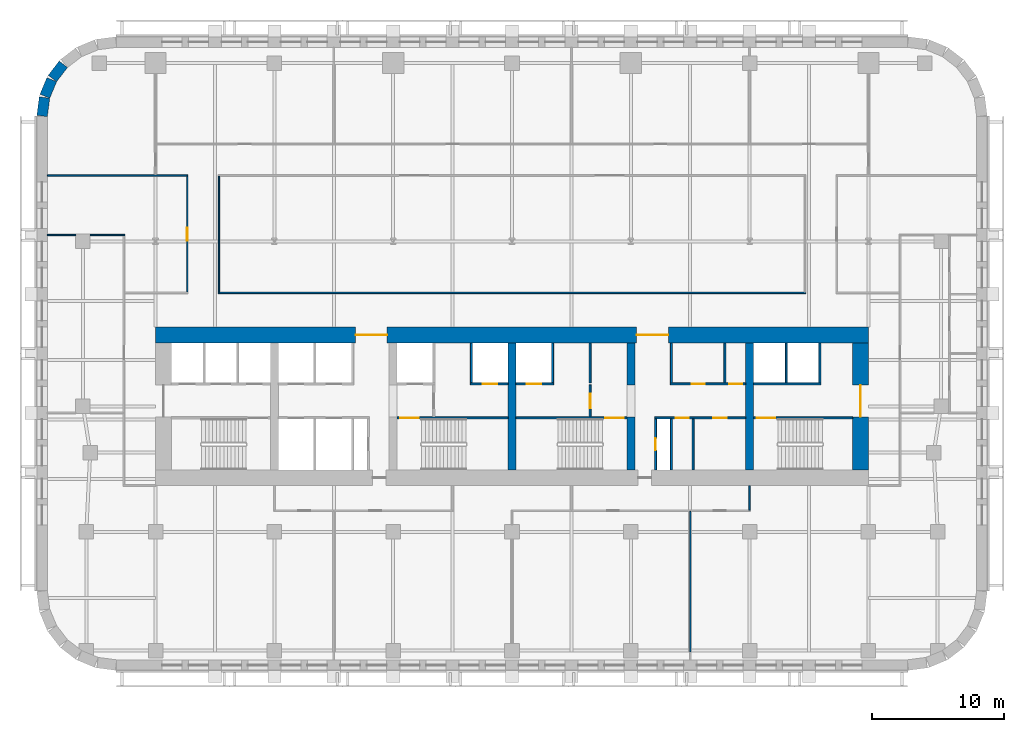
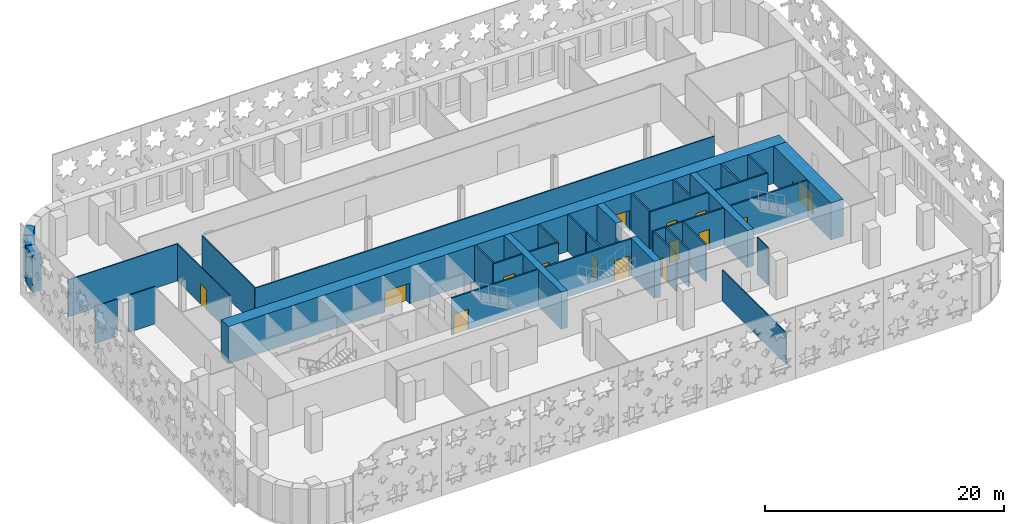
# One storey, part 6 of 15: 36 walls, 15 doors, 15 openings.
"""IFC4 building model written with IfcOpenShell, lengths in metres."""

from ifc_helpers import new_model, si_unit, direction, frame, frame_2d, origin, place, context, subcontext, project, spatial, rectangle, extrude, material, layer, layer_set, type_object, element, fill, save


model = new_model("IFC4")

# Units and contexts
model_context = context("Model", 3, precision=1e-05, world=origin(), true_north=direction((0.0, 1.0)))
body_context = subcontext(model_context, "Body", "Model", "MODEL_VIEW")
ifc_project = project(units=[si_unit("LENGTHUNIT", "METRE"), si_unit("AREAUNIT", "SQUARE_METRE"), si_unit("VOLUMEUNIT", "CUBIC_METRE"), si_unit("PLANEANGLEUNIT", "RADIAN"), si_unit("MASSUNIT", "GRAM", prefix="KILO")], contexts=[model_context])

# Site, building, storey
site_placement = place(None, origin())
site = spatial("IfcSite", under=ifc_project, at=site_placement, CompositionType="ELEMENT")
building_placement = place(site_placement, origin())
building = spatial("IfcBuilding", under=site, at=building_placement, Name="Zellij Exchange Tower", CompositionType="ELEMENT")
storey_placement = place(building_placement, frame((0.0, 0.0, 92.5)))
storey = spatial("IfcBuildingStorey", under=building, at=storey_placement, Name="L19", CompositionType="ELEMENT", Elevation=92.5)

# Walls
ifc_material_1 = material(Name="Concrete C70/85", Category="concrete")
ifc_layer_1 = layer(ifc_material_1, 0.60009765625)
ifc_layer_set_1 = layer_set([ifc_layer_1], Name="Concrete C70/85")
wall_type_1 = type_object("IfcWallType", Name="CORE-CW 600 C70/85", PredefinedType="SHEAR", material=ifc_layer_set_1)
wall_1_placement = place(storey_placement, frame((0.0, -12.800048828125, 0.0), z_axis=(0.0, 0.0, 1.0), x_axis=(0.0, 1.0, 0.0)))
element("IfcWall", 1, at=wall_1_placement, inside=storey, type_object=wall_type_1, Name="Core cross wall x 0 L19", PredefinedType="SHEAR", context=body_context, shape_type="SweptSolid", body=[
    extrude(rectangle(XDim=9.60009765625, YDim=0.60009765625, at=frame_2d((4.800048828125, 0.0))), origin(), (0.0, 0.0, 1.0), 3.800048828125),
])
wall_2_placement = place(storey_placement, frame((9.0, -12.800048828125, 0.0), z_axis=(0.0, 0.0, 1.0), x_axis=(0.0, 1.0, 0.0)))
element("IfcWall", 2, at=wall_2_placement, inside=storey, type_object=wall_type_1, Name="Core cross wall pier x 9 a L19", PredefinedType="SHEAR", context=body_context, shape_type="SweptSolid", body=[
    extrude(rectangle(XDim=4.0, YDim=0.60009765625, at=frame_2d((2.0, 0.0))), origin(), (0.0, 0.0, 1.0), 3.800048828125),
])
wall_3_placement = place(storey_placement, frame((9.0, -6.375, 0.0), z_axis=(0.0, 0.0, 1.0), x_axis=(0.0, 1.0, 0.0)))
element("IfcWall", 3, at=wall_3_placement, inside=storey, type_object=wall_type_1, Name="Core cross wall pier x 9 b L19", PredefinedType="SHEAR", context=body_context, shape_type="SweptSolid", body=[
    extrude(rectangle(XDim=3.175048828125, YDim=0.60009765625, at=frame_2d((1.58740234375, 0.0))), origin(), (0.0, 0.0, 1.0), 3.800048828125),
])
wall_4_placement = place(storey_placement, frame((18.0, -12.800048828125, 0.0), z_axis=(0.0, 0.0, 1.0), x_axis=(0.0, 1.0, 0.0)))
element("IfcWall", 4, at=wall_4_placement, inside=storey, type_object=wall_type_1, Name="Core cross wall x 18 L19", PredefinedType="SHEAR", context=body_context, shape_type="SweptSolid", body=[
    extrude(rectangle(XDim=9.60009765625, YDim=0.60009765625, at=frame_2d((4.800048828125, 0.0))), origin(), (0.0, 0.0, 1.0), 3.800048828125),
])

# Wall, opening, door
ifc_material_2 = material(Name="Gypsum shaft wall system")
ifc_layer_2 = layer(ifc_material_2, 0.14990234375)
ifc_layer_set_2 = layer_set([ifc_layer_2], Name="Gypsum shaft wall system")
wall_type_2 = type_object("IfcWallType", Name="CORE-PW 150 Firefighting lobby wall", PredefinedType="PARTITIONING", material=ifc_layer_set_2)
wall_5_placement = place(storey_placement, frame((5.925048828125, -8.800048828125, 0.0), z_axis=(0.0, 0.0, 1.0), x_axis=(0.0, 1.0, 0.0)))
wall_5 = element("IfcWall", 5, at=wall_5_placement, inside=storey, type_object=wall_type_2, Name="Firefighting lobby wall L19", PredefinedType="PARTITIONING", context=body_context, shape_type="SweptSolid", body=[
    extrude(rectangle(XDim=2.425048828125, YDim=0.14990234375, at=frame_2d((1.21240234375, 0.0))), origin(), (0.0, 0.0, 1.0), 3.800048828125),
])
opening_1_placement = place(wall_5_placement, frame((0.662109375, 0.0, 0.0)))
opening_1 = element("IfcOpeningElement", 6, at=opening_1_placement, cuts=wall_5, Name="Opening CA-10.18", PredefinedType="OPENING", context=body_context, shape_type="SweptSolid", body=[
    extrude(rectangle(XDim=1.10009765625, YDim=2.10009765625, at=frame_2d((0.550048828125, 1.050048828125))), frame((0.0, 0.0869140625, 0.0), z_axis=(0.0, -1.0, 0.0), x_axis=(1.0, 0.0, 0.0)), (0.0, 0.0, 1.0), 0.173828125),
])
ifc_material_3 = material(Name="Hollow metal fire door")
door_type_1 = type_object("IfcDoorType", Name="CORE-D F Firefighting lobby door 1100x2100 1 HR", OperationType="NOTDEFINED", PredefinedType="DOOR", material=ifc_material_3)
door_1_placement = place(opening_1_placement, origin())
door_1 = element("IfcDoor", 7, at=door_1_placement, inside=storey, type_object=door_type_1, Name="Firefighting lobby door CA-10.18", OperationType="SINGLE_SWING_RIGHT", OverallHeight=2.10009765625, OverallWidth=1.10009765625, PredefinedType="DOOR", context=body_context, shape_type="SweptSolid", body=[
    extrude(rectangle(XDim=1.10009765625, YDim=2.10009765625, at=frame_2d((0.550048828125, 1.050048828125))), frame((0.0, 0.02490234375, 0.0), z_axis=(0.0, -1.0, 0.0), x_axis=(1.0, 0.0, 0.0)), (0.0, 0.0, 1.0), 0.050048828125),
])
fill(opening_1, door_1)

# Walls
ifc_material_4 = material(Name="Gypsum board partition")
ifc_layer_3 = layer(ifc_material_4, 0.14990234375)
ifc_layer_set_3 = layer_set([ifc_layer_3], Name="Gypsum board partition")
wall_type_3 = type_object("IfcWallType", Name="CORE-PW 150 Lift lobby wall", PredefinedType="PARTITIONING", material=ifc_layer_set_3)
for number, where, z_axis, x_axis, name in (
    (8, (5.925048828125, -6.22509765625, 0.0), (0.0, 0.0, 1.0), (0.0, 1.0, 0.0), "Lift lobby wall L19"),
    (9, (12.074951171875, -6.22509765625, 0.0), (0.0, 0.0, 1.0), (0.0, 1.0, 0.0), "Lift lobby wall L19"),
    (10, (16.125, -6.22509765625, 0.0), (0.0, 0.0, 1.0), (0.0, 1.0, 0.0), "Lift lobby wall L19"),
):
    element("IfcWall", number, at=place(storey_placement, frame(where, z_axis=z_axis, x_axis=x_axis)), inside=storey, type_object=wall_type_3, Name=name, PredefinedType="PARTITIONING", context=body_context, shape_type="SweptSolid", body=[
        extrude(rectangle(XDim=3.025146484375, YDim=0.14990234375, at=frame_2d((1.5126953125, 0.0))), origin(), (0.0, 0.0, 1.0), 3.800048828125),
    ])

# Wall, opening, door
wall_6_placement = place(storey_placement, frame((10.875, -12.800048828125, 0.0), z_axis=(0.0, 0.0, 1.0), x_axis=(0.0, 1.0, 0.0)))
wall_6 = element("IfcWall", 11, at=wall_6_placement, inside=storey, type_object=wall_type_3, Name="Lift lobby wall L19", PredefinedType="PARTITIONING", context=body_context, shape_type="SweptSolid", body=[
    extrude(rectangle(XDim=3.85009765625, YDim=0.14990234375, at=frame_2d((1.925048828125, 0.0))), origin(), (0.0, 0.0, 1.0), 3.800048828125),
])
opening_2_placement = place(wall_6_placement, frame((1.47509765625, 0.0, 0.0)))
opening_2 = element("IfcOpeningElement", 12, at=opening_2_placement, cuts=wall_6, Name="Opening CA-10.22", PredefinedType="OPENING", context=body_context, shape_type="SweptSolid", body=[
    extrude(rectangle(XDim=0.89990234375, YDim=2.10009765625, at=frame_2d((0.449951171875, 1.050048828125))), frame((0.0, 0.0869140625, 0.0), z_axis=(0.0, -1.0, 0.0), x_axis=(1.0, 0.0, 0.0)), (0.0, 0.0, 1.0), 0.173828125),
])
door_type_2 = type_object("IfcDoorType", Name="CORE-D RD Riser door 900x2100 1.5 HR", OperationType="NOTDEFINED", PredefinedType="DOOR", material=ifc_material_3)
door_2_placement = place(opening_2_placement, origin())
door_2 = element("IfcDoor", 13, at=door_2_placement, inside=storey, type_object=door_type_2, Name="Riser door CA-10.22", OperationType="SINGLE_SWING_LEFT", OverallHeight=2.10009765625, OverallWidth=0.89990234375, PredefinedType="DOOR", context=body_context, shape_type="SweptSolid", body=[
    extrude(rectangle(XDim=0.89990234375, YDim=2.10009765625, at=frame_2d((0.449951171875, 1.050048828125))), frame((0.0, 0.02490234375, 0.0), z_axis=(0.0, -1.0, 0.0), x_axis=(1.0, 0.0, 0.0)), (0.0, 0.0, 1.0), 0.050048828125),
])
fill(opening_2, door_2)

# Walls
for number, where, z_axis, x_axis, name in (
    (14, (12.074951171875, -12.800048828125, 0.0), (0.0, 0.0, 1.0), (0.0, 1.0, 0.0), "Lift lobby wall L19"),
    (15, (13.72509765625, -12.800048828125, 0.0), (0.0, 0.0, 1.0), (0.0, 1.0, 0.0), "Lift lobby wall L19"),
):
    element("IfcWall", number, at=place(storey_placement, frame(where, z_axis=z_axis, x_axis=x_axis)), inside=storey, type_object=wall_type_3, Name=name, PredefinedType="PARTITIONING", context=body_context, shape_type="SweptSolid", body=[
        extrude(rectangle(XDim=3.85009765625, YDim=0.14990234375, at=frame_2d((1.925048828125, 0.0))), origin(), (0.0, 0.0, 1.0), 3.800048828125),
    ])

# Wall, openings, doors
wall_7_placement = place(storey_placement, frame((12.0, -6.300048828125, 0.0), z_axis=(0.0, 0.0, 1.0), x_axis=(1.0, 0.0, 0.0)))
wall_7 = element("IfcWall", 16, at=wall_7_placement, inside=storey, type_object=wall_type_3, Name="Lift lobby wall L19", PredefinedType="PARTITIONING", context=body_context, shape_type="SweptSolid", body=[
    extrude(rectangle(XDim=5.699951171875, YDim=0.14990234375, at=frame_2d((2.85009765625, 0.0))), origin(), (0.0, 0.0, 1.0), 3.800048828125),
])
opening_3_placement = place(wall_7_placement, frame((1.60009765625, 0.0, 0.0)))
opening_3 = element("IfcOpeningElement", 17, at=opening_3_placement, cuts=wall_7, Name="Opening CA-10.24", PredefinedType="OPENING", context=body_context, shape_type="SweptSolid", body=[
    extrude(rectangle(XDim=1.0, YDim=2.10009765625, at=frame_2d((0.5, 1.050048828125))), frame((0.0, 0.0869140625, 0.0), z_axis=(0.0, -1.0, 0.0), x_axis=(1.0, 0.0, 0.0)), (0.0, 0.0, 1.0), 0.173828125),
])
opening_4_placement = place(wall_7_placement, frame((4.449951171875, 0.0, 0.0)))
opening_4 = element("IfcOpeningElement", 18, at=opening_4_placement, cuts=wall_7, Name="Opening CA-10.26", PredefinedType="OPENING", context=body_context, shape_type="SweptSolid", body=[
    extrude(rectangle(XDim=1.0, YDim=2.10009765625, at=frame_2d((0.5, 1.050048828125))), frame((0.0, 0.0869140625, 0.0), z_axis=(0.0, -1.0, 0.0), x_axis=(1.0, 0.0, 0.0)), (0.0, 0.0, 1.0), 0.173828125),
])
door_type_3 = type_object("IfcDoorType", Name="CORE-D CD Core room door 1000x2100 1 HR", OperationType="NOTDEFINED", PredefinedType="DOOR", material=ifc_material_3)
door_3_placement = place(opening_3_placement, origin())
door_3 = element("IfcDoor", 19, at=door_3_placement, inside=storey, type_object=door_type_3, Name="Core room door CA-10.24", OperationType="SINGLE_SWING_LEFT", OverallHeight=2.10009765625, OverallWidth=1.0, PredefinedType="DOOR", context=body_context, shape_type="SweptSolid", body=[
    extrude(rectangle(XDim=1.0, YDim=2.10009765625, at=frame_2d((0.5, 1.050048828125))), frame((0.0, 0.02490234375, 0.0), z_axis=(0.0, -1.0, 0.0), x_axis=(1.0, 0.0, 0.0)), (0.0, 0.0, 1.0), 0.050048828125),
])
fill(opening_3, door_3)
door_4_placement = place(opening_4_placement, origin())
door_4 = element("IfcDoor", 20, at=door_4_placement, inside=storey, type_object=door_type_3, Name="Core room door CA-10.26", OperationType="SINGLE_SWING_RIGHT", OverallHeight=2.10009765625, OverallWidth=1.0, PredefinedType="DOOR", context=body_context, shape_type="SweptSolid", body=[
    extrude(rectangle(XDim=1.0, YDim=2.10009765625, at=frame_2d((0.5, 1.050048828125))), frame((0.0, 0.02490234375, 0.0), z_axis=(0.0, -1.0, 0.0), x_axis=(1.0, 0.0, 0.0)), (0.0, 0.0, 1.0), 0.050048828125),
])
fill(opening_4, door_4)

wall_8_placement = place(storey_placement, frame((10.800048828125, -8.875, 0.0), z_axis=(0.0, 0.0, 1.0), x_axis=(1.0, 0.0, 0.0)))
wall_8 = element("IfcWall", 21, at=wall_8_placement, inside=storey, type_object=wall_type_3, Name="Lift lobby wall L19", PredefinedType="PARTITIONING", context=body_context, shape_type="SweptSolid", body=[
    extrude(rectangle(XDim=6.89990234375, YDim=0.14990234375, at=frame_2d((3.449951171875, 0.0))), origin(), (0.0, 0.0, 1.0), 3.800048828125),
])
opening_5_placement = place(wall_8_placement, frame((1.60009765625, 0.0, 0.0)))
opening_5 = element("IfcOpeningElement", 22, at=opening_5_placement, cuts=wall_8, Name="Opening CA-10.23", PredefinedType="OPENING", context=body_context, shape_type="SweptSolid", body=[
    extrude(rectangle(XDim=1.0, YDim=2.10009765625, at=frame_2d((0.5, 1.050048828125))), frame((0.0, 0.0869140625, 0.0), z_axis=(0.0, -1.0, 0.0), x_axis=(1.0, 0.0, 0.0)), (0.0, 0.0, 1.0), 0.173828125),
])
opening_6_placement = place(wall_8_placement, frame((4.449951171875, 0.0, 0.0)))
opening_6 = element("IfcOpeningElement", 23, at=opening_6_placement, cuts=wall_8, Name="Opening CA-10.25", PredefinedType="OPENING", context=body_context, shape_type="SweptSolid", body=[
    extrude(rectangle(XDim=1.0, YDim=2.10009765625, at=frame_2d((0.5, 1.050048828125))), frame((0.0, 0.0869140625, 0.0), z_axis=(0.0, -1.0, 0.0), x_axis=(1.0, 0.0, 0.0)), (0.0, 0.0, 1.0), 0.173828125),
])
door_5_placement = place(opening_5_placement, origin())
door_5 = element("IfcDoor", 24, at=door_5_placement, inside=storey, type_object=door_type_3, Name="Core room door CA-10.23", OperationType="SINGLE_SWING_RIGHT", OverallHeight=2.10009765625, OverallWidth=1.0, PredefinedType="DOOR", context=body_context, shape_type="SweptSolid", body=[
    extrude(rectangle(XDim=1.0, YDim=2.10009765625, at=frame_2d((0.5, 1.050048828125))), frame((0.0, 0.02490234375, 0.0), z_axis=(0.0, -1.0, 0.0), x_axis=(1.0, 0.0, 0.0)), (0.0, 0.0, 1.0), 0.050048828125),
])
fill(opening_5, door_5)
door_6_placement = place(opening_6_placement, origin())
door_6 = element("IfcDoor", 25, at=door_6_placement, inside=storey, type_object=door_type_3, Name="Core room door CA-10.25", OperationType="SINGLE_SWING_LEFT", OverallHeight=2.10009765625, OverallWidth=1.0, PredefinedType="DOOR", context=body_context, shape_type="SweptSolid", body=[
    extrude(rectangle(XDim=1.0, YDim=2.10009765625, at=frame_2d((0.5, 1.050048828125))), frame((0.0, 0.02490234375, 0.0), z_axis=(0.0, -1.0, 0.0), x_axis=(1.0, 0.0, 0.0)), (0.0, 0.0, 1.0), 0.050048828125),
])
fill(opening_6, door_6)

# Walls
ifc_layer_4 = layer(ifc_material_2, 0.14990234375)
ifc_layer_set_4 = layer_set([ifc_layer_4], Name="Gypsum shaft wall system")
wall_type_4 = type_object("IfcWallType", Name="CORE-PW 150 Lift shaft wall", PredefinedType="PARTITIONING", material=ifc_layer_set_4)
for number, where, z_axis, x_axis, name in (
    (26, (-3.074951171875, -6.22509765625, 0.0), (0.0, 0.0, 1.0), (0.0, 1.0, 0.0), "Lift shaft wall L19"),
    (27, (3.074951171875, -6.22509765625, 0.0), (0.0, 0.0, 1.0), (0.0, 1.0, 0.0), "Lift shaft wall L19"),
    (28, (20.77490234375, -6.22509765625, 0.0), (0.0, 0.0, 1.0), (0.0, 1.0, 0.0), "Lift shaft wall L19"),
    (29, (23.324951171875, -6.22509765625, 0.0), (0.0, 0.0, 1.0), (0.0, 1.0, 0.0), "Lift shaft wall L19"),
):
    element("IfcWall", number, at=place(storey_placement, frame(where, z_axis=z_axis, x_axis=x_axis)), inside=storey, type_object=wall_type_4, Name=name, PredefinedType="PARTITIONING", context=body_context, shape_type="SweptSolid", body=[
        extrude(rectangle(XDim=3.025146484375, YDim=0.14990234375, at=frame_2d((1.5126953125, 0.0))), origin(), (0.0, 0.0, 1.0), 3.800048828125),
    ])

# Wall, opening, door
wall_9_placement = place(storey_placement, frame((-3.14990234375, -6.300048828125, 0.0), z_axis=(0.0, 0.0, 1.0), x_axis=(1.0, 0.0, 0.0)))
wall_9 = element("IfcWall", 30, at=wall_9_placement, inside=storey, type_object=wall_type_4, Name="Lift shaft wall L19", PredefinedType="PARTITIONING", context=body_context, shape_type="SweptSolid", body=[
    extrude(rectangle(XDim=2.849853515625, YDim=0.14990234375, at=frame_2d((1.4248046875, 0.0))), origin(), (0.0, 0.0, 1.0), 3.800048828125),
])
opening_7_placement = place(wall_9_placement, frame((0.949951171875, 0.0, 0.0)))
opening_7 = element("IfcOpeningElement", 31, at=opening_7_placement, cuts=wall_9, Name="Opening CA-10.16", PredefinedType="OPENING", context=body_context, shape_type="SweptSolid", body=[
    extrude(rectangle(XDim=1.10009765625, YDim=2.10009765625, at=frame_2d((0.550048828125, 1.050048828125))), frame((0.0, 0.0869140625, 0.0), z_axis=(0.0, -1.0, 0.0), x_axis=(1.0, 0.0, 0.0)), (0.0, 0.0, 1.0), 0.173828125),
])
door_type_4 = type_object("IfcDoorType", Name="CORE-D LD Lift landing door 1100x2100 1.5 HR", OperationType="NOTDEFINED", PredefinedType="DOOR", material=ifc_material_3)
door_7_placement = place(opening_7_placement, origin())
door_7 = element("IfcDoor", 32, at=door_7_placement, inside=storey, type_object=door_type_4, Name="Lift landing door CA-10.16", OperationType="SLIDING_TO_RIGHT", OverallHeight=2.10009765625, OverallWidth=1.10009765625, PredefinedType="DOOR", context=body_context, shape_type="SweptSolid", body=[
    extrude(rectangle(XDim=1.10009765625, YDim=2.10009765625, at=frame_2d((0.550048828125, 1.050048828125))), frame((0.0, 0.02490234375, 0.0), z_axis=(0.0, -1.0, 0.0), x_axis=(1.0, 0.0, 0.0)), (0.0, 0.0, 1.0), 0.050048828125),
])
fill(opening_7, door_7)

wall_10_placement = place(storey_placement, frame((0.300048828125, -6.300048828125, 0.0), z_axis=(0.0, 0.0, 1.0), x_axis=(1.0, 0.0, 0.0)))
wall_10 = element("IfcWall", 33, at=wall_10_placement, inside=storey, type_object=wall_type_4, Name="Lift shaft wall L19", PredefinedType="PARTITIONING", context=body_context, shape_type="SweptSolid", body=[
    extrude(rectangle(XDim=2.849853515625, YDim=0.14990234375, at=frame_2d((1.4248046875, 0.0))), origin(), (0.0, 0.0, 1.0), 3.800048828125),
])
opening_8_placement = place(wall_10_placement, frame((0.800048828125, 0.0, 0.0)))
opening_8 = element("IfcOpeningElement", 34, at=opening_8_placement, cuts=wall_10, Name="Opening CA-10.17", PredefinedType="OPENING", context=body_context, shape_type="SweptSolid", body=[
    extrude(rectangle(XDim=1.10009765625, YDim=2.10009765625, at=frame_2d((0.550048828125, 1.050048828125))), frame((0.0, 0.0869140625, 0.0), z_axis=(0.0, -1.0, 0.0), x_axis=(1.0, 0.0, 0.0)), (0.0, 0.0, 1.0), 0.173828125),
])
door_8_placement = place(opening_8_placement, origin())
door_8 = element("IfcDoor", 35, at=door_8_placement, inside=storey, type_object=door_type_4, Name="Lift landing door CA-10.17", OperationType="SLIDING_TO_LEFT", OverallHeight=2.10009765625, OverallWidth=1.10009765625, PredefinedType="DOOR", context=body_context, shape_type="SweptSolid", body=[
    extrude(rectangle(XDim=1.10009765625, YDim=2.10009765625, at=frame_2d((0.550048828125, 1.050048828125))), frame((0.0, 0.02490234375, 0.0), z_axis=(0.0, -1.0, 0.0), x_axis=(1.0, 0.0, 0.0)), (0.0, 0.0, 1.0), 0.050048828125),
])
fill(opening_8, door_8)

# Wall
wall_11_placement = place(storey_placement, frame((18.300048828125, -6.300048828125, 0.0), z_axis=(0.0, 0.0, 1.0), x_axis=(1.0, 0.0, 0.0)))
element("IfcWall", 36, at=wall_11_placement, inside=storey, type_object=wall_type_4, Name="Lift shaft wall L19", PredefinedType="PARTITIONING", context=body_context, shape_type="SweptSolid", body=[
    extrude(rectangle(XDim=5.099853515625, YDim=0.14990234375, at=frame_2d((2.5498046875, 0.0))), origin(), (0.0, 0.0, 1.0), 3.800048828125),
])

# Wall, openings, doors
ifc_layer_5 = layer(ifc_material_1, 1.199951171875)
ifc_layer_set_5 = layer_set([ifc_layer_5], Name="Concrete C70/85")
wall_type_5 = type_object("IfcWallType", Name="CORE-SW 1200 C70/85", PredefinedType="SHEAR", material=ifc_layer_set_5)
wall_12_placement = place(storey_placement, frame((-27.0, -2.60009765625, 0.0), z_axis=(0.0, 0.0, 1.0), x_axis=(1.0, 0.0, 0.0)))
wall_12 = element("IfcWall", 37, at=wall_12_placement, inside=storey, type_object=wall_type_5, Name="Core shear wall front L19", PredefinedType="SHEAR", context=body_context, shape_type="SweptSolid", body=[
    extrude(rectangle(XDim=54.0, YDim=1.199951171875, at=frame_2d((27.0, 0.0))), origin(), (0.0, 0.0, 1.0), 3.800048828125),
])
opening_9_placement = place(wall_12_placement, frame((15.14990234375, 0.0, 0.0)))
opening_9 = element("IfcOpeningElement", 38, at=opening_9_placement, cuts=wall_12, Name="Opening CA-10.11", PredefinedType="OPENING", context=body_context, shape_type="SweptSolid", body=[
    extrude(rectangle(XDim=2.39990234375, YDim=2.10009765625, at=frame_2d((1.199951171875, 1.050048828125))), frame((0.0, 0.61181640625, 0.0), z_axis=(0.0, -1.0, 0.0), x_axis=(1.0, 0.0, 0.0)), (0.0, 0.0, 1.0), 1.223876953125),
])
opening_10_placement = place(wall_12_placement, frame((36.449951171875, 0.0, 0.0)))
opening_10 = element("IfcOpeningElement", 39, at=opening_10_placement, cuts=wall_12, Name="Opening CA-10.21", PredefinedType="OPENING", context=body_context, shape_type="SweptSolid", body=[
    extrude(rectangle(XDim=2.39990234375, YDim=2.10009765625, at=frame_2d((1.199951171875, 1.050048828125))), frame((0.0, 0.61181640625, 0.0), z_axis=(0.0, -1.0, 0.0), x_axis=(1.0, 0.0, 0.0)), (0.0, 0.0, 1.0), 1.223876953125),
])
door_type_5 = type_object("IfcDoorType", Name="CORE-D CE Core entrance door 2400x2100 20 MIN", OperationType="NOTDEFINED", PredefinedType="DOOR", material=ifc_material_3)
door_9_placement = place(opening_9_placement, origin())
door_9 = element("IfcDoor", 40, at=door_9_placement, inside=storey, type_object=door_type_5, Name="Core entrance door CA-10.11", OperationType="DOUBLE_DOOR_SINGLE_SWING", OverallHeight=2.10009765625, OverallWidth=2.39990234375, PredefinedType="DOOR", context=body_context, shape_type="SweptSolid", body=[
    extrude(rectangle(XDim=2.39990234375, YDim=2.10009765625, at=frame_2d((1.199951171875, 1.050048828125))), frame((0.0, 0.02490234375, 0.0), z_axis=(0.0, -1.0, 0.0), x_axis=(1.0, 0.0, 0.0)), (0.0, 0.0, 1.0), 0.050048828125),
])
fill(opening_9, door_9)
door_10_placement = place(opening_10_placement, origin())
door_10 = element("IfcDoor", 41, at=door_10_placement, inside=storey, type_object=door_type_5, Name="Core entrance door CA-10.21", OperationType="DOUBLE_DOOR_SINGLE_SWING", OverallHeight=2.10009765625, OverallWidth=2.39990234375, PredefinedType="DOOR", context=body_context, shape_type="SweptSolid", body=[
    extrude(rectangle(XDim=2.39990234375, YDim=2.10009765625, at=frame_2d((1.199951171875, 1.050048828125))), frame((0.0, 0.02490234375, 0.0), z_axis=(0.0, -1.0, 0.0), x_axis=(1.0, 0.0, 0.0)), (0.0, 0.0, 1.0), 0.050048828125),
])
fill(opening_10, door_10)

# Wall, opening, door
wall_13_placement = place(storey_placement, frame((26.39990234375, -12.800048828125, 0.0), z_axis=(0.0, 0.0, 1.0), x_axis=(0.0, 1.0, 0.0)))
wall_13 = element("IfcWall", 42, at=wall_13_placement, inside=storey, type_object=wall_type_5, Name="Core shear wall end e L19", PredefinedType="SHEAR", context=body_context, shape_type="SweptSolid", body=[
    extrude(rectangle(XDim=9.60009765625, YDim=1.199951171875, at=frame_2d((4.800048828125, 0.0))), origin(), (0.0, 0.0, 1.0), 3.800048828125),
])
opening_11_placement = place(wall_13_placement, frame((4.011962890625, 0.0, 0.0)))
opening_11 = element("IfcOpeningElement", 43, at=opening_11_placement, cuts=wall_13, Name="Opening CA-10.28", PredefinedType="OPENING", context=body_context, shape_type="SweptSolid", body=[
    extrude(rectangle(XDim=2.39990234375, YDim=2.10009765625, at=frame_2d((1.199951171875, 1.050048828125))), frame((0.0, 0.61181640625, 0.0), z_axis=(0.0, -1.0, 0.0), x_axis=(1.0, 0.0, 0.0)), (0.0, 0.0, 1.0), 1.223876953125),
])
door_11_placement = place(opening_11_placement, origin())
door_11 = element("IfcDoor", 44, at=door_11_placement, inside=storey, type_object=door_type_5, Name="Core entrance door CA-10.28", OperationType="DOUBLE_DOOR_SINGLE_SWING", OverallHeight=2.10009765625, OverallWidth=2.39990234375, PredefinedType="DOOR", context=body_context, shape_type="SweptSolid", body=[
    extrude(rectangle(XDim=2.39990234375, YDim=2.10009765625, at=frame_2d((1.199951171875, 1.050048828125))), frame((0.0, 0.02490234375, 0.0), z_axis=(0.0, -1.0, 0.0), x_axis=(1.0, 0.0, 0.0)), (0.0, 0.0, 1.0), 0.050048828125),
])
fill(opening_11, door_11)

ifc_layer_6 = layer(ifc_material_1, 0.14990234375)
ifc_layer_set_6 = layer_set([ifc_layer_6], Name="Concrete C70/85")
wall_type_6 = type_object("IfcWallType", Name="CORE-SWS 150 C70/85", PredefinedType="SHEAR", material=ifc_layer_set_6)
wall_14_placement = place(storey_placement, frame((-8.699951171875, -8.875, 0.0), z_axis=(0.0, 0.0, 1.0), x_axis=(1.0, 0.0, 0.0)))
wall_14 = element("IfcWall", 45, at=wall_14_placement, inside=storey, type_object=wall_type_6, Name="Stair enclosure wall L19", PredefinedType="SHEAR", context=body_context, shape_type="SweptSolid", body=[
    extrude(rectangle(XDim=8.39990234375, YDim=0.14990234375, at=frame_2d((4.199951171875, 0.0))), origin(), (0.0, 0.0, 1.0), 3.800048828125),
])
opening_12_placement = place(wall_14_placement, frame((0.22509765625, 0.0, 0.0)))
opening_12 = element("IfcOpeningElement", 46, at=opening_12_placement, cuts=wall_14, Name="Opening CA-10.13", PredefinedType="OPENING", context=body_context, shape_type="SweptSolid", body=[
    extrude(rectangle(XDim=1.39990234375, YDim=2.10009765625, at=frame_2d((0.699951171875, 1.050048828125))), frame((0.0, 0.0869140625, 0.0), z_axis=(0.0, -1.0, 0.0), x_axis=(1.0, 0.0, 0.0)), (0.0, 0.0, 1.0), 0.173828125),
])
door_type_6 = type_object("IfcDoorType", Name="CORE-D SD Stair door 1400x2100 1.5 HR", OperationType="NOTDEFINED", PredefinedType="DOOR", material=ifc_material_3)
door_12_placement = place(opening_12_placement, origin())
door_12 = element("IfcDoor", 47, at=door_12_placement, inside=storey, type_object=door_type_6, Name="Stair door CA-10.13", OperationType="DOUBLE_DOOR_SINGLE_SWING", OverallHeight=2.10009765625, OverallWidth=1.39990234375, PredefinedType="DOOR", context=body_context, shape_type="SweptSolid", body=[
    extrude(rectangle(XDim=1.39990234375, YDim=2.10009765625, at=frame_2d((0.699951171875, 1.050048828125))), frame((0.0, 0.02490234375, 0.0), z_axis=(0.0, -1.0, 0.0), x_axis=(1.0, 0.0, 0.0)), (0.0, 0.0, 1.0), 0.050048828125),
])
fill(opening_12, door_12)

wall_15_placement = place(storey_placement, frame((0.300048828125, -8.875, 0.0), z_axis=(0.0, 0.0, 1.0), x_axis=(1.0, 0.0, 0.0)))
wall_15 = element("IfcWall", 48, at=wall_15_placement, inside=storey, type_object=wall_type_6, Name="Stair enclosure wall L19", PredefinedType="SHEAR", context=body_context, shape_type="SweptSolid", body=[
    extrude(rectangle(XDim=8.39990234375, YDim=0.14990234375, at=frame_2d((4.199951171875, 0.0))), origin(), (0.0, 0.0, 1.0), 3.800048828125),
])
opening_13_placement = place(wall_15_placement, frame((6.77490234375, 0.0, 0.0)))
opening_13 = element("IfcOpeningElement", 49, at=opening_13_placement, cuts=wall_15, Name="Opening CA-10.19", PredefinedType="OPENING", context=body_context, shape_type="SweptSolid", body=[
    extrude(rectangle(XDim=1.39990234375, YDim=2.10009765625, at=frame_2d((0.699951171875, 1.050048828125))), frame((0.0, 0.0869140625, 0.0), z_axis=(0.0, -1.0, 0.0), x_axis=(1.0, 0.0, 0.0)), (0.0, 0.0, 1.0), 0.173828125),
])
door_13_placement = place(opening_13_placement, origin())
door_13 = element("IfcDoor", 50, at=door_13_placement, inside=storey, type_object=door_type_6, Name="Stair door CA-10.19", OperationType="DOUBLE_DOOR_SINGLE_SWING", OverallHeight=2.10009765625, OverallWidth=1.39990234375, PredefinedType="DOOR", context=body_context, shape_type="SweptSolid", body=[
    extrude(rectangle(XDim=1.39990234375, YDim=2.10009765625, at=frame_2d((0.699951171875, 1.050048828125))), frame((0.0, 0.02490234375, 0.0), z_axis=(0.0, -1.0, 0.0), x_axis=(1.0, 0.0, 0.0)), (0.0, 0.0, 1.0), 0.050048828125),
])
fill(opening_13, door_13)

wall_16_placement = place(storey_placement, frame((18.300048828125, -8.875, 0.0), z_axis=(0.0, 0.0, 1.0), x_axis=(1.0, 0.0, 0.0)))
wall_16 = element("IfcWall", 51, at=wall_16_placement, inside=storey, type_object=wall_type_6, Name="Stair enclosure wall L19", PredefinedType="SHEAR", context=body_context, shape_type="SweptSolid", body=[
    extrude(rectangle(XDim=7.5, YDim=0.14990234375, at=frame_2d((3.75, 0.0))), origin(), (0.0, 0.0, 1.0), 3.800048828125),
])
opening_14_placement = place(wall_16_placement, frame((0.22509765625, 0.0, 0.0)))
opening_14 = element("IfcOpeningElement", 52, at=opening_14_placement, cuts=wall_16, Name="Opening CA-10.27", PredefinedType="OPENING", context=body_context, shape_type="SweptSolid", body=[
    extrude(rectangle(XDim=1.39990234375, YDim=2.10009765625, at=frame_2d((0.699951171875, 1.050048828125))), frame((0.0, 0.0869140625, 0.0), z_axis=(0.0, -1.0, 0.0), x_axis=(1.0, 0.0, 0.0)), (0.0, 0.0, 1.0), 0.173828125),
])
door_14_placement = place(opening_14_placement, origin())
door_14 = element("IfcDoor", 53, at=door_14_placement, inside=storey, type_object=door_type_6, Name="Stair door CA-10.27", OperationType="DOUBLE_DOOR_SINGLE_SWING", OverallHeight=2.10009765625, OverallWidth=1.39990234375, PredefinedType="DOOR", context=body_context, shape_type="SweptSolid", body=[
    extrude(rectangle(XDim=1.39990234375, YDim=2.10009765625, at=frame_2d((0.699951171875, 1.050048828125))), frame((0.0, 0.02490234375, 0.0), z_axis=(0.0, -1.0, 0.0), x_axis=(1.0, 0.0, 0.0)), (0.0, 0.0, 1.0), 0.050048828125),
])
fill(opening_14, door_14)

# Walls
ifc_material_5 = material(Name="Precast concrete C40/50", Category="concrete")
ifc_layer_7 = layer(ifc_material_5, 0.800048828125)
ifc_layer_set_7 = layer_set([ifc_layer_7], Name="Precast concrete C40/50")
wall_type_7 = type_object("IfcWallType", Name="ENV-EW1 Precast stone-piered wall 800", PredefinedType="SOLIDWALL", material=ifc_layer_set_7)
wall_17_placement = place(storey_placement, frame((-33.9892578125, 17.91552734375, 0.0), z_axis=(0.0, 0.0, 1.0), x_axis=(-0.608866226366, -0.793272915452, 0.0)))
element("IfcWall", 54, at=wall_17_placement, inside=storey, type_object=wall_type_7, Name="fac.L19.18", PredefinedType="SOLIDWALL", context=body_context, shape_type="SweptSolid", body=[
    extrude(rectangle(XDim=1.355712890625, YDim=0.800048828125, at=frame_2d((0.677734375, 0.0))), origin(), (0.0, 0.0, 1.0), 3.800048828125),
])
wall_18_placement = place(storey_placement, frame((-34.866943359375, 16.74951171875, 0.0), z_axis=(0.0, 0.0, 1.0), x_axis=(-0.38276009378, -0.923847774587, 0.0)))
element("IfcWall", 55, at=wall_18_placement, inside=storey, type_object=wall_type_7, Name="fac.L19.19", PredefinedType="SOLIDWALL", context=body_context, shape_type="SweptSolid", body=[
    extrude(rectangle(XDim=1.35546875, YDim=0.800048828125, at=frame_2d((0.677734375, 0.0))), origin(), (0.0, 0.0, 1.0), 3.800048828125),
])
wall_19_placement = place(storey_placement, frame((-35.412841796875, 15.396240234375, 0.0), z_axis=(0.0, 0.0, 1.0), x_axis=(-0.130517283865, -0.99144603414, 0.0)))
element("IfcWall", 56, at=wall_19_placement, inside=storey, type_object=wall_type_7, Name="fac.L19.20", PredefinedType="SOLIDWALL", context=body_context, shape_type="SweptSolid", body=[
    extrude(rectangle(XDim=1.408447265625, YDim=0.800048828125, at=frame_2d((0.7041015625, 0.0))), origin(), (0.0, 0.0, 1.0), 3.800048828125),
])
ifc_material_6 = material(Name="Gypsum board partition on steel studs", Category="steel")
ifc_layer_8 = layer(ifc_material_6, 0.10009765625)
ifc_layer_set_8 = layer_set([ifc_layer_8], Name="Gypsum board partition on steel studs")
wall_type_8 = type_object("IfcWallType", Name="FIT-PARTITION-100", PredefinedType="PARTITIONING", material=ifc_layer_set_8)
wall_20_placement = place(storey_placement, frame((13.5, -26.614501953125, 0.0), z_axis=(0.0, 0.0, 1.0), x_axis=(0.0, 1.0, 0.0)))
element("IfcWall", 57, at=wall_20_placement, inside=storey, type_object=wall_type_8, Name="FIT-PARTITION-100 006", PredefinedType="PARTITIONING", context=body_context, shape_type="SweptSolid", body=[
    extrude(rectangle(XDim=10.66455078125, YDim=0.10009765625, at=frame_2d((5.332275390625, 0.0))), origin(), (0.0, 0.0, 1.0), 3.197998046875),
])
wall_21_placement = place(storey_placement, frame((18.0, -15.85009765625, 0.0), z_axis=(0.0, 0.0, 1.0), x_axis=(0.0, 1.0, 0.0)))
element("IfcWall", 58, at=wall_21_placement, inside=storey, type_object=wall_type_8, Name="FIT-PARTITION-100 012", PredefinedType="PARTITIONING", context=body_context, shape_type="SweptSolid", body=[
    extrude(rectangle(XDim=1.85009765625, YDim=0.10009765625, at=frame_2d((0.925048828125, 0.0))), origin(), (0.0, 0.0, 1.0), 3.800048828125),
])

# Wall, opening, door
wall_22_placement = place(storey_placement, frame((-24.60009765625, 0.64990234375, 0.0), z_axis=(0.0, 0.0, 1.0), x_axis=(0.0, 1.0, 0.0)))
wall_22 = element("IfcWall", 59, at=wall_22_placement, inside=storey, type_object=wall_type_8, Name="FIT-PARTITION-100 025", PredefinedType="PARTITIONING", context=body_context, shape_type="SweptSolid", body=[
    extrude(rectangle(XDim=8.780029296875, YDim=0.10009765625, at=frame_2d((4.39013671875, 0.0))), origin(), (0.0, 0.0, 1.0), 3.800048828125),
])
opening_15_placement = place(wall_22_placement, frame((3.89990234375, 0.0, 0.0)))
opening_15 = element("IfcOpeningElement", 60, at=opening_15_placement, cuts=wall_22, Name="Opening TD.10", PredefinedType="OPENING", context=body_context, shape_type="SweptSolid", body=[
    extrude(rectangle(XDim=1.0, YDim=2.10009765625, at=frame_2d((0.5, 1.050048828125))), frame((0.0, 0.06201171875, 0.0), z_axis=(0.0, -1.0, 0.0), x_axis=(1.0, 0.0, 0.0)), (0.0, 0.0, 1.0), 0.1240234375),
])
ifc_material_7 = material(Name="Timber door set", Category="wood")
door_type_7 = type_object("IfcDoorType", Name="FIT-D2-WIDE-1000X2100", OperationType="SINGLE_SWING_LEFT", PredefinedType="DOOR", material=ifc_material_7)
door_15_placement = place(opening_15_placement, origin())
door_15 = element("IfcDoor", 61, at=door_15_placement, inside=storey, type_object=door_type_7, Name="Door TD.10", OperationType="SINGLE_SWING_LEFT", OverallHeight=2.10009765625, OverallWidth=1.0, PredefinedType="DOOR", context=body_context, shape_type="SweptSolid", body=[
    extrude(rectangle(XDim=1.0, YDim=2.10009765625, at=frame_2d((0.5, 1.050048828125))), frame((0.0, 0.02490234375, 0.0), z_axis=(0.0, -1.0, 0.0), x_axis=(1.0, 0.0, 0.0)), (0.0, 0.0, 1.0), 0.050048828125),
])
fill(opening_15, door_15)

# Walls
wall_23_placement = place(storey_placement, frame((-22.25, 0.60009765625, 0.0), z_axis=(0.0, 0.0, 1.0), x_axis=(1.0, 0.0, 0.0)))
element("IfcWall", 62, at=wall_23_placement, inside=storey, type_object=wall_type_8, Name="FIT-PARTITION-100 026", PredefinedType="PARTITIONING", context=body_context, shape_type="SweptSolid", body=[
    extrude(rectangle(XDim=44.5, YDim=0.10009765625, at=frame_2d((22.25, 0.0))), origin(), (0.0, 0.0, 1.0), 3.800048828125),
])
wall_24_placement = place(storey_placement, frame((-22.199951171875, 0.64990234375, 0.0), z_axis=(0.0, 0.0, 1.0), x_axis=(0.0, 1.0, 0.0)))
element("IfcWall", 63, at=wall_24_placement, inside=storey, type_object=wall_type_8, Name="FIT-PARTITION-100 027", PredefinedType="PARTITIONING", context=body_context, shape_type="SweptSolid", body=[
    extrude(rectangle(XDim=8.780029296875, YDim=0.10009765625, at=frame_2d((4.39013671875, 0.0))), origin(), (0.0, 0.0, 1.0), 3.800048828125),
])
wall_25_placement = place(storey_placement, frame((-35.199951171875, 4.989990234375, 0.0), z_axis=(0.0, 0.0, 1.0), x_axis=(1.0, 0.0, 0.0)))
element("IfcWall", 64, at=wall_25_placement, inside=storey, type_object=wall_type_8, Name="FIT-PARTITION-100 031", PredefinedType="PARTITIONING", context=body_context, shape_type="SweptSolid", body=[
    extrude(rectangle(XDim=2.14990234375, YDim=0.10009765625, at=frame_2d((1.074951171875, 0.0))), origin(), (0.0, 0.0, 1.0), 3.800048828125),
])
wall_26_placement = place(storey_placement, frame((-31.949951171875, 4.989990234375, 0.0), z_axis=(0.0, 0.0, 1.0), x_axis=(1.0, 0.0, 0.0)))
element("IfcWall", 65, at=wall_26_placement, inside=storey, type_object=wall_type_8, Name="FIT-PARTITION-100 032", PredefinedType="PARTITIONING", context=body_context, shape_type="SweptSolid", body=[
    extrude(rectangle(XDim=2.599853515625, YDim=0.10009765625, at=frame_2d((1.2998046875, 0.0))), origin(), (0.0, 0.0, 1.0), 3.800048828125),
])
wall_27_placement = place(storey_placement, frame((-35.199951171875, 9.47998046875, 0.0), z_axis=(0.0, 0.0, 1.0), x_axis=(1.0, 0.0, 0.0)))
element("IfcWall", 66, at=wall_27_placement, inside=storey, type_object=wall_type_8, Name="FIT-PARTITION-100 035", PredefinedType="PARTITIONING", context=body_context, shape_type="SweptSolid", body=[
    extrude(rectangle(XDim=10.64990234375, YDim=0.10009765625, at=frame_2d((5.324951171875, 0.0))), origin(), (0.0, 0.0, 1.0), 3.800048828125),
])

save(model, "model.ifc")
